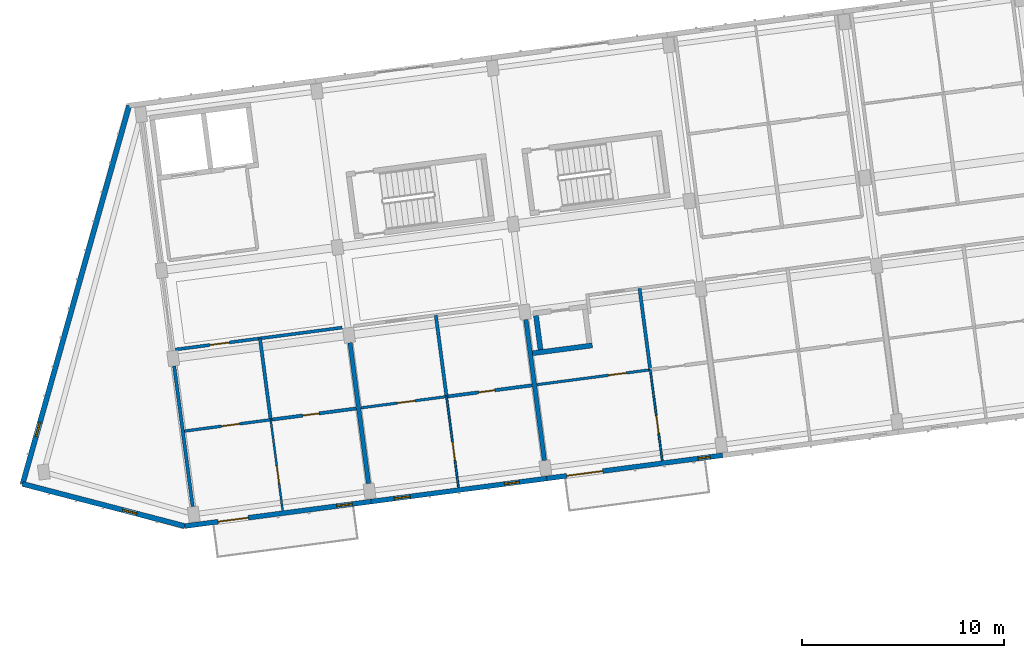
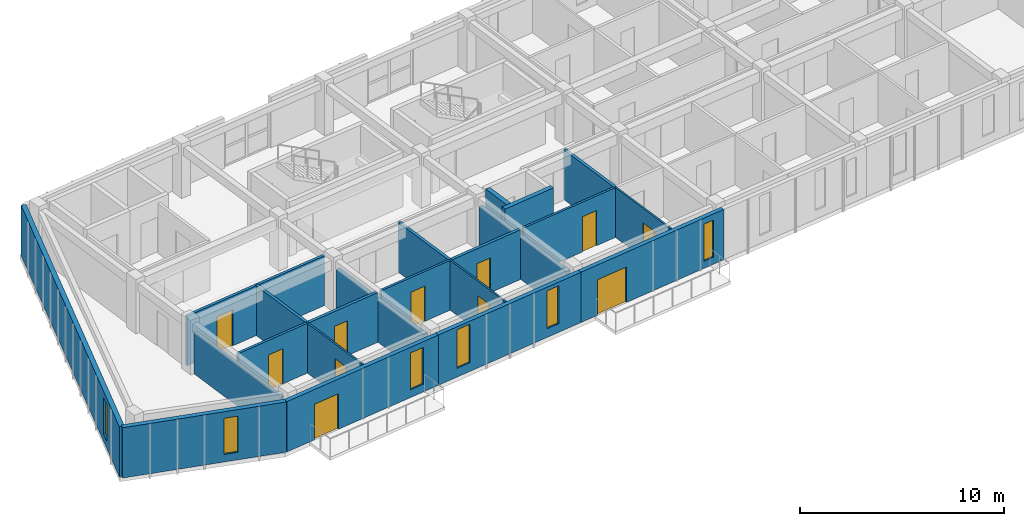
# One storey, part 21 of 66: 22 walls, 11 doors, 6 windows, 17 openings.
"""IFC4 building model written with IfcOpenShell, lengths in metres."""

from ifc_helpers import new_model, si_unit, direction, frame, frame_2d, origin, place, context, subcontext, project, spatial, rectangle, extrude, material, layer, layer_set, type_object, element, fill, save


model = new_model("IFC4")

# Units and contexts
model_context = context("Model", 3, precision=1e-05, world=origin(), true_north=direction((0.0, 1.0)))
body_context = subcontext(model_context, "Body", "Model", "MODEL_VIEW")
ifc_project = project(units=[si_unit("LENGTHUNIT", "METRE"), si_unit("AREAUNIT", "SQUARE_METRE"), si_unit("VOLUMEUNIT", "CUBIC_METRE"), si_unit("PLANEANGLEUNIT", "RADIAN"), si_unit("MASSUNIT", "GRAM", prefix="KILO")], contexts=[model_context])

# Site, building, storey
site_placement = place(None, origin())
site = spatial("IfcSite", under=ifc_project, at=site_placement, CompositionType="ELEMENT")
building_placement = place(site_placement, origin())
building = spatial("IfcBuilding", under=site, at=building_placement, Name="Kestramere Prow Commons", CompositionType="ELEMENT")
storey_placement = place(building_placement, frame((0.0, 0.0, 14.89990234375)))
storey = spatial("IfcBuildingStorey", under=building, at=storey_placement, Name="L04", CompositionType="ELEMENT", Elevation=14.89990234375)

# Wall, opening, window
ifc_material_1 = material(Name="Weathered Zinc-Titanium Standing-Seam Cladding")
ifc_layer_1 = layer(ifc_material_1, 0.260009765625)
ifc_layer_set_1 = layer_set([ifc_layer_1], Name="Weathered Zinc-Titanium Standing-Seam Cladding")
wall_type_1 = type_object("IfcWallType", Name="EW-PROW-260", PredefinedType="SOLIDWALL", material=ifc_layer_set_1)
wall_1_placement = place(storey_placement, frame((10.748046875, 71.410888671875, 0.0), z_axis=(0.0, 0.0, 1.0), x_axis=(-0.967694955113, 0.252123925577, 0.0)))
wall_1 = element("IfcWall", 1, at=wall_1_placement, inside=storey, type_object=wall_type_1, Name="Block A L04 PRW-S Facet Wall", PredefinedType="SOLIDWALL", context=body_context, shape_type="SweptSolid", body=[
    extrude(rectangle(XDim=8.305419921875, YDim=0.260009765625, at=frame_2d((4.15283203125, 0.0))), origin(), (0.0, 0.0, 1.0), 3.0),
])
opening_1_placement = place(wall_1_placement, frame((2.449951171875, 0.0, 0.449951171875)))
opening_1 = element("IfcOpeningElement", 2, at=opening_1_placement, cuts=wall_1, Name="Opening WN-08", PredefinedType="OPENING", context=body_context, shape_type="SweptSolid", body=[
    extrude(rectangle(XDim=0.719970703125, YDim=2.159912109375, at=frame_2d((0.35986328125, 1.080078125))), frame((0.0, 0.14501953125, 0.0), z_axis=(0.0, -1.0, 0.0), x_axis=(1.0, 0.0, 0.0)), (0.0, 0.0, 1.0), 0.2900390625),
])
ifc_material_2 = material(Name="Low-E Laminated Double Glazing", Category="glass")
window_type_1 = type_object("IfcWindowType", Name="WN-NAR-720A", PartitioningType="SINGLE_PANEL", PredefinedType="WINDOW", material=ifc_material_2)
window_1_placement = place(opening_1_placement, origin())
window_1 = element("IfcWindow", 3, at=window_1_placement, inside=storey, type_object=window_type_1, Name="WN-A-L04-PRW-S-0", OverallHeight=2.159912109375, OverallWidth=0.719970703125, PartitioningType="SINGLE_PANEL", PredefinedType="WINDOW", context=body_context, shape_type="SweptSolid", body=[
    extrude(rectangle(XDim=0.719970703125, YDim=2.159912109375, at=frame_2d((0.35986328125, 1.080078125))), frame((0.0, 0.030029296875, 0.0), z_axis=(0.0, -1.0, 0.0), x_axis=(1.0, 0.0, 0.0)), (0.0, 0.0, 1.0), 0.06005859375),
])
fill(opening_1, window_1)

wall_2_placement = place(storey_placement, frame((2.7109375, 73.5048828125, 0.0), z_axis=(0.0, 0.0, 1.0), x_axis=(0.271165263368, 0.962532804606, 0.0)))
wall_2 = element("IfcWall", 4, at=wall_2_placement, inside=storey, type_object=wall_type_1, Name="Block A L04 PRW-N Facet Wall", PredefinedType="SOLIDWALL", context=body_context, shape_type="SweptSolid", body=[
    extrude(rectangle(XDim=19.5068359375, YDim=0.260009765625, at=frame_2d((9.75341796875, 0.0))), origin(), (0.0, 0.0, 1.0), 3.0),
])
opening_2_placement = place(wall_2_placement, frame((2.449951171875, 0.0, 0.449951171875)))
opening_2 = element("IfcOpeningElement", 5, at=opening_2_placement, cuts=wall_2, Name="Opening WN-08", PredefinedType="OPENING", context=body_context, shape_type="SweptSolid", body=[
    extrude(rectangle(XDim=0.719970703125, YDim=2.159912109375, at=frame_2d((0.35986328125, 1.080078125))), frame((0.0, 0.14501953125, 0.0), z_axis=(0.0, -1.0, 0.0), x_axis=(1.0, 0.0, 0.0)), (0.0, 0.0, 1.0), 0.2900390625),
])
window_2_placement = place(opening_2_placement, origin())
window_2 = element("IfcWindow", 6, at=window_2_placement, inside=storey, type_object=window_type_1, Name="WN-A-L04-PRW-N-0", OverallHeight=2.159912109375, OverallWidth=0.719970703125, PartitioningType="SINGLE_PANEL", PredefinedType="WINDOW", context=body_context, shape_type="SweptSolid", body=[
    extrude(rectangle(XDim=0.719970703125, YDim=2.159912109375, at=frame_2d((0.35986328125, 1.080078125))), frame((0.0, 0.030029296875, 0.0), z_axis=(0.0, -1.0, 0.0), x_axis=(1.0, 0.0, 0.0)), (0.0, 0.0, 1.0), 0.06005859375),
])
fill(opening_2, window_2)

# Wall, openings, door, window
ifc_material_3 = material(Name="Fluoropolymer Standing-Seam Zinc-Aluminium Cladding", Category="aluminium")
ifc_layer_2 = layer(ifc_material_3, 0.239990234375)
ifc_layer_set_2 = layer_set([ifc_layer_2], Name="Fluoropolymer Standing-Seam Zinc-Aluminium Cladding")
wall_type_2 = type_object("IfcWallType", Name="EW-SEAM-240", PredefinedType="SOLIDWALL", material=ifc_layer_set_2)
wall_3_placement = place(storey_placement, frame((19.9931640625, 72.628173828125, 0.0), z_axis=(0.0, 0.0, 1.0), x_axis=(-0.991442885224, -0.130541201693, 0.0)))
wall_3 = element("IfcWall", 7, at=wall_3_placement, inside=storey, type_object=wall_type_2, Name="Block A L04 South Standing-Seam Wall 1", PredefinedType="SOLIDWALL", context=body_context, shape_type="SweptSolid", body=[
    extrude(rectangle(XDim=9.324951171875, YDim=0.239990234375, at=frame_2d((4.66259765625, 0.0))), origin(), (0.0, 0.0, 1.0), 3.0),
])
opening_3_placement = place(wall_3_placement, frame((6.14697265625, 0.0, 0.0)))
opening_3 = element("IfcOpeningElement", 8, at=opening_3_placement, cuts=wall_3, Name="Opening GD-BAL-01", PredefinedType="OPENING", context=body_context, shape_type="SweptSolid", body=[
    extrude(rectangle(XDim=1.5, YDim=2.1201171875, at=frame_2d((0.75, 1.06005859375))), frame((0.0, 0.135009765625, 0.0), z_axis=(0.0, -1.0, 0.0), x_axis=(1.0, 0.0, 0.0)), (0.0, 0.0, 1.0), 0.27001953125),
])
opening_4_placement = place(wall_3_placement, frame((0.929931640625, 0.0, 0.4599609375)))
opening_4 = element("IfcOpeningElement", 9, at=opening_4_placement, cuts=wall_3, Name="Opening WN-11", PredefinedType="OPENING", context=body_context, shape_type="SweptSolid", body=[
    extrude(rectangle(XDim=0.780029296875, YDim=2.199951171875, at=frame_2d((0.39013671875, 1.10009765625))), frame((0.0, 0.135009765625, 0.0), z_axis=(0.0, -1.0, 0.0), x_axis=(1.0, 0.0, 0.0)), (0.0, 0.0, 1.0), 0.27001953125),
])
ifc_material_4 = material(Name="Thermally-Broken Anodised Aluminium Glazed", Category="aluminium")
door_type_1 = type_object("IfcDoorType", Name="GD-BAL-1500", OperationType="SLIDING_TO_RIGHT", PredefinedType="DOOR", material=ifc_material_4)
door_1_placement = place(opening_3_placement, origin())
door_1 = element("IfcDoor", 10, at=door_1_placement, inside=storey, type_object=door_type_1, Name="Block A L04 Balcony Door 1", OperationType="SLIDING_TO_RIGHT", OverallHeight=2.1201171875, OverallWidth=1.5, PredefinedType="DOOR", context=body_context, shape_type="SweptSolid", body=[
    extrude(rectangle(XDim=1.5, YDim=2.1201171875, at=frame_2d((0.75, 1.06005859375))), frame((0.0, 0.02490234375, 0.0), z_axis=(0.0, -1.0, 0.0), x_axis=(1.0, 0.0, 0.0)), (0.0, 0.0, 1.0), 0.050048828125),
])
fill(opening_3, door_1)
window_type_2 = type_object("IfcWindowType", Name="WN-NAR-780A", PartitioningType="SINGLE_PANEL", PredefinedType="WINDOW", material=ifc_material_2)
window_3_placement = place(opening_4_placement, origin())
window_3 = element("IfcWindow", 11, at=window_3_placement, inside=storey, type_object=window_type_2, Name="WN-A-L04-SR-0", OverallHeight=2.199951171875, OverallWidth=0.780029296875, PartitioningType="SINGLE_PANEL", PredefinedType="WINDOW", context=body_context, shape_type="SweptSolid", body=[
    extrude(rectangle(XDim=0.780029296875, YDim=2.199951171875, at=frame_2d((0.39013671875, 1.10009765625))), frame((0.0, 0.030029296875, 0.0), z_axis=(0.0, -1.0, 0.0), x_axis=(1.0, 0.0, 0.0)), (0.0, 0.0, 1.0), 0.06005859375),
])
fill(opening_4, window_3)

# Wall, openings, windows
wall_4_placement = place(storey_placement, frame((28.718017578125, 73.77685546875, 0.0), z_axis=(0.0, 0.0, 1.0), x_axis=(-0.991444377792, -0.130529865336, 0.0)))
wall_4 = element("IfcWall", 12, at=wall_4_placement, inside=storey, type_object=wall_type_2, Name="Block A L04 South Standing-Seam Wall 2", PredefinedType="SOLIDWALL", context=body_context, shape_type="SweptSolid", body=[
    extrude(rectangle(XDim=8.800048828125, YDim=0.239990234375, at=frame_2d((4.39990234375, 0.0))), origin(), (0.0, 0.0, 1.0), 3.0),
])
opening_5_placement = place(wall_4_placement, frame((1.375732421875, 0.0, 0.52001953125)))
opening_5 = element("IfcOpeningElement", 13, at=opening_5_placement, cuts=wall_4, Name="Opening WN-09", PredefinedType="OPENING", context=body_context, shape_type="SweptSolid", body=[
    extrude(rectangle(XDim=0.739990234375, YDim=2.260009765625, at=frame_2d((0.3701171875, 1.1298828125))), frame((0.0, 0.135009765625, 0.0), z_axis=(0.0, -1.0, 0.0), x_axis=(1.0, 0.0, 0.0)), (0.0, 0.0, 1.0), 0.27001953125),
])
opening_6_placement = place(wall_4_placement, frame((6.840087890625, 0.0, 0.52001953125)))
opening_6 = element("IfcOpeningElement", 14, at=opening_6_placement, cuts=wall_4, Name="Opening WN-12", PredefinedType="OPENING", context=body_context, shape_type="SweptSolid", body=[
    extrude(rectangle(XDim=0.800048828125, YDim=2.300048828125, at=frame_2d((0.39990234375, 1.14990234375))), frame((0.0, 0.135009765625, 0.0), z_axis=(0.0, -1.0, 0.0), x_axis=(1.0, 0.0, 0.0)), (0.0, 0.0, 1.0), 0.27001953125),
])
window_type_3 = type_object("IfcWindowType", Name="WN-NAR-740A", PartitioningType="SINGLE_PANEL", PredefinedType="WINDOW", material=ifc_material_2)
window_4_placement = place(opening_5_placement, origin())
window_4 = element("IfcWindow", 15, at=window_4_placement, inside=storey, type_object=window_type_3, Name="WN-A-L04-S-1-00", OverallHeight=2.260009765625, OverallWidth=0.739990234375, PartitioningType="SINGLE_PANEL", PredefinedType="WINDOW", context=body_context, shape_type="SweptSolid", body=[
    extrude(rectangle(XDim=0.739990234375, YDim=2.260009765625, at=frame_2d((0.3701171875, 1.1298828125))), frame((0.0, 0.030029296875, 0.0), z_axis=(0.0, -1.0, 0.0), x_axis=(1.0, 0.0, 0.0)), (0.0, 0.0, 1.0), 0.06005859375),
])
fill(opening_5, window_4)
window_type_4 = type_object("IfcWindowType", Name="WN-NAR-800A", PartitioningType="SINGLE_PANEL", PredefinedType="WINDOW", material=ifc_material_2)
window_5_placement = place(opening_6_placement, origin())
window_5 = element("IfcWindow", 16, at=window_5_placement, inside=storey, type_object=window_type_4, Name="WN-A-L04-S-1-10", OverallHeight=2.300048828125, OverallWidth=0.800048828125, PartitioningType="SINGLE_PANEL", PredefinedType="WINDOW", context=body_context, shape_type="SweptSolid", body=[
    extrude(rectangle(XDim=0.800048828125, YDim=2.300048828125, at=frame_2d((0.39990234375, 1.14990234375))), frame((0.0, 0.030029296875, 0.0), z_axis=(0.0, -1.0, 0.0), x_axis=(1.0, 0.0, 0.0)), (0.0, 0.0, 1.0), 0.06005859375),
])
fill(opening_6, window_5)

# Wall, openings, door, window
wall_5_placement = place(storey_placement, frame((37.442626953125, 74.92529296875, 0.0), z_axis=(0.0, 0.0, 1.0), x_axis=(-0.991447495205, -0.130506184728, 0.0)))
wall_5 = element("IfcWall", 17, at=wall_5_placement, inside=storey, type_object=wall_type_2, Name="Block A L04 South Standing-Seam Wall 3", PredefinedType="SOLIDWALL", context=body_context, shape_type="SweptSolid", body=[
    extrude(rectangle(XDim=8.7998046875, YDim=0.239990234375, at=frame_2d((4.39990234375, 0.0))), origin(), (0.0, 0.0, 1.0), 3.0),
])
opening_7_placement = place(wall_5_placement, frame((5.9970703125, 0.0, 0.0)))
opening_7 = element("IfcOpeningElement", 18, at=opening_7_placement, cuts=wall_5, Name="Opening GD-BAL-02", PredefinedType="OPENING", context=body_context, shape_type="SweptSolid", body=[
    extrude(rectangle(XDim=1.800048828125, YDim=2.1201171875, at=frame_2d((0.89990234375, 1.06005859375))), frame((0.0, 0.135009765625, 0.0), z_axis=(0.0, -1.0, 0.0), x_axis=(1.0, 0.0, 0.0)), (0.0, 0.0, 1.0), 0.27001953125),
])
opening_8_placement = place(wall_5_placement, frame((0.6298828125, 0.0, 0.419921875)))
opening_8 = element("IfcOpeningElement", 19, at=opening_8_placement, cuts=wall_5, Name="Opening WN-02", PredefinedType="OPENING", context=body_context, shape_type="SweptSolid", body=[
    extrude(rectangle(XDim=0.60009765625, YDim=2.219970703125, at=frame_2d((0.300048828125, 1.10986328125))), frame((0.0, 0.135009765625, 0.0), z_axis=(0.0, -1.0, 0.0), x_axis=(1.0, 0.0, 0.0)), (0.0, 0.0, 1.0), 0.27001953125),
])
door_type_2 = type_object("IfcDoorType", Name="GD-BAL-1800", OperationType="SLIDING_TO_LEFT", PredefinedType="DOOR", material=ifc_material_4)
door_2_placement = place(opening_7_placement, origin())
door_2 = element("IfcDoor", 20, at=door_2_placement, inside=storey, type_object=door_type_2, Name="Block A L04 Balcony Door 3", OperationType="SLIDING_TO_LEFT", OverallHeight=2.1201171875, OverallWidth=1.800048828125, PredefinedType="DOOR", context=body_context, shape_type="SweptSolid", body=[
    extrude(rectangle(XDim=1.800048828125, YDim=2.1201171875, at=frame_2d((0.89990234375, 1.06005859375))), frame((0.0, 0.02490234375, 0.0), z_axis=(0.0, -1.0, 0.0), x_axis=(1.0, 0.0, 0.0)), (0.0, 0.0, 1.0), 0.050048828125),
])
fill(opening_7, door_2)
window_type_5 = type_object("IfcWindowType", Name="WN-NAR-600A", PartitioningType="SINGLE_PANEL", PredefinedType="WINDOW", material=ifc_material_2)
window_6_placement = place(opening_8_placement, origin())
window_6 = element("IfcWindow", 21, at=window_6_placement, inside=storey, type_object=window_type_5, Name="WN-A-L04-SR-2", OverallHeight=2.219970703125, OverallWidth=0.60009765625, PartitioningType="SINGLE_PANEL", PredefinedType="WINDOW", context=body_context, shape_type="SweptSolid", body=[
    extrude(rectangle(XDim=0.60009765625, YDim=2.219970703125, at=frame_2d((0.300048828125, 1.10986328125))), frame((0.0, 0.030029296875, 0.0), z_axis=(0.0, -1.0, 0.0), x_axis=(1.0, 0.0, 0.0)), (0.0, 0.0, 1.0), 0.06005859375),
])
fill(opening_8, window_6)

# Wall, opening, door
ifc_material_5 = material(Name="Fire-Rated Calcium Silicate Wall")
ifc_layer_3 = layer(ifc_material_5, 0.155029296875)
ifc_layer_set_3 = layer_set([ifc_layer_3], Name="Fire-Rated Calcium Silicate Wall")
wall_type_3 = type_object("IfcWallType", Name="W-FIRE-150", PredefinedType="PARTITIONING", material=ifc_layer_set_3)
wall_6_placement = place(storey_placement, frame((10.196533203125, 80.158935546875, 0.0), z_axis=(0.0, 0.0, 1.0), x_axis=(0.991448685923, 0.130497138599, 0.0)))
wall_6 = element("IfcWall", 22, at=wall_6_placement, inside=storey, type_object=wall_type_3, Name="Interior Partition PW-A-L04-CS-0", PredefinedType="PARTITIONING", context=body_context, shape_type="SweptSolid", body=[
    extrude(rectangle(XDim=8.445068359375, YDim=0.155029296875, at=frame_2d((4.22265625, 0.0))), origin(), (0.0, 0.0, 1.0), 2.97021484375),
])
opening_9_placement = place(wall_6_placement, frame((1.820068359375, 0.0, 0.0)))
opening_9 = element("IfcOpeningElement", 23, at=opening_9_placement, cuts=wall_6, Name="Opening ID-04", PredefinedType="OPENING", context=body_context, shape_type="SweptSolid", body=[
    extrude(rectangle(XDim=0.97998046875, YDim=2.14990234375, at=frame_2d((0.489990234375, 1.074951171875))), frame((0.0, 0.092529296875, 0.0), z_axis=(0.0, -1.0, 0.0), x_axis=(1.0, 0.0, 0.0)), (0.0, 0.0, 1.0), 0.18505859375),
])
ifc_material_6 = material(Name="Hardwood Fire-Rated Flat Entrance Door", Category="wood")
door_type_3 = type_object("IfcDoorType", Name="FD-ENT-01", OperationType="NOTDEFINED", PredefinedType="DOOR", material=ifc_material_6)
door_3_placement = place(opening_9_placement, origin())
door_3 = element("IfcDoor", 24, at=door_3_placement, inside=storey, type_object=door_type_3, Name="Interior Door DR-A-L04-ENT-S0", OperationType="SINGLE_SWING_LEFT", OverallHeight=2.14990234375, OverallWidth=0.97998046875, PredefinedType="DOOR", context=body_context, shape_type="SweptSolid", body=[
    extrude(rectangle(XDim=0.97998046875, YDim=2.14990234375, at=frame_2d((0.489990234375, 1.074951171875))), frame((0.0, 0.02490234375, 0.0), z_axis=(0.0, -1.0, 0.0), x_axis=(1.0, 0.0, 0.0)), (0.0, 0.0, 1.0), 0.050048828125),
])
fill(opening_9, door_3)

# Walls
ifc_material_7 = material(Name="Concrete C40/50", Category="concrete")
ifc_layer_4 = layer(ifc_material_7, 0.25)
ifc_layer_set_4 = layer_set([ifc_layer_4], Name="Concrete C40/50")
wall_type_4 = type_object("IfcWallType", Name="W-HS-250", PredefinedType="SHEAR", material=ifc_layer_set_4)
wall_7_placement = place(storey_placement, frame((28.01123046875, 79.987548828125, 0.0), z_axis=(0.0, 0.0, 1.0), x_axis=(0.991439837467, 0.130564346904, 0.0)))
element("IfcWall", 25, at=wall_7_placement, inside=storey, type_object=wall_type_4, Name="Block A L04 Household Shelter South Wall", PredefinedType="SHEAR", context=body_context, shape_type="SweptSolid", body=[
    extrude(rectangle(XDim=2.989990234375, YDim=0.25, at=frame_2d((1.4951171875, 0.0))), origin(), (0.0, 0.0, 1.0), 3.25),
])
wall_8_placement = place(storey_placement, frame((28.40625, 80.165771484375, 0.0), z_axis=(0.0, 0.0, 1.0), x_axis=(-0.130413643681, 0.991459672171, 0.0)))
element("IfcWall", 26, at=wall_8_placement, inside=storey, type_object=wall_type_4, Name="Block A L04 Household Shelter W Wall", PredefinedType="SHEAR", context=body_context, shape_type="SweptSolid", body=[
    extrude(rectangle(XDim=1.69970703125, YDim=0.25, at=frame_2d((0.849853515625, 0.0))), origin(), (0.0, 0.0, 1.0), 3.25),
])

# Wall, opening, door
ifc_material_8 = material(Name="Gypsum Acoustic Drywall")
ifc_layer_5 = layer(ifc_material_8, 0.10009765625)
ifc_layer_set_5 = layer_set([ifc_layer_5], Name="Gypsum Acoustic Drywall")
wall_type_5 = type_object("IfcWallType", Name="W-PART-100", PredefinedType="PARTITIONING", material=ifc_layer_set_5)
wall_9_placement = place(storey_placement, frame((15.61328125, 72.187744140625, 0.0), z_axis=(0.0, 0.0, 1.0), x_axis=(-0.130518503748, 0.99144587355, 0.0)))
wall_9 = element("IfcWall", 27, at=wall_9_placement, inside=storey, type_object=wall_type_5, Name="Interior Partition PW-A-L04-LB-S0", PredefinedType="PARTITIONING", context=body_context, shape_type="SweptSolid", body=[
    extrude(rectangle(XDim=4.539794921875, YDim=0.10009765625, at=frame_2d((2.27001953125, 0.0))), origin(), (0.0, 0.0, 1.0), 2.97021484375),
])
opening_10_placement = place(wall_9_placement, frame((1.35009765625, 0.0, 0.0)))
opening_10 = element("IfcOpeningElement", 28, at=opening_10_placement, cuts=wall_9, Name="Opening ID-10", PredefinedType="OPENING", context=body_context, shape_type="SweptSolid", body=[
    extrude(rectangle(XDim=0.8798828125, YDim=2.10009765625, at=frame_2d((0.43994140625, 1.050048828125))), frame((0.0, 0.06494140625, 0.0), z_axis=(0.0, -1.0, 0.0), x_axis=(1.0, 0.0, 0.0)), (0.0, 0.0, 1.0), 0.130126953125),
])
ifc_material_9 = material(Name="Engineered Timber Bedroom Door", Category="wood")
door_type_4 = type_object("IfcDoorType", Name="D-RM-03", OperationType="NOTDEFINED", PredefinedType="DOOR", material=ifc_material_9)
door_4_placement = place(opening_10_placement, origin())
door_4 = element("IfcDoor", 29, at=door_4_placement, inside=storey, type_object=door_type_4, Name="Interior Door DR-A-L04-BED-S0", OperationType="SINGLE_SWING_LEFT", OverallHeight=2.10009765625, OverallWidth=0.8798828125, PredefinedType="DOOR", context=body_context, shape_type="SweptSolid", body=[
    extrude(rectangle(XDim=0.8798828125, YDim=2.10009765625, at=frame_2d((0.43994140625, 1.050048828125))), frame((0.0, 0.02490234375, 0.0), z_axis=(0.0, -1.0, 0.0), x_axis=(1.0, 0.0, 0.0)), (0.0, 0.0, 1.0), 0.050048828125),
])
fill(opening_10, door_4)

ifc_material_10 = material(Name="Lightweight Blockwork and Plaster", Category="masonry")
ifc_layer_6 = layer(ifc_material_10, 0.1298828125)
ifc_layer_set_6 = layer_set([ifc_layer_6], Name="Lightweight Blockwork and Plaster")
wall_type_6 = type_object("IfcWallType", Name="W-PART-130", PredefinedType="PARTITIONING", material=ifc_layer_set_6)
wall_10_placement = place(storey_placement, frame((19.4970703125, 77.278076171875, 0.0), z_axis=(0.0, 0.0, 1.0), x_axis=(0.991444014242, 0.130532626667, 0.0)))
wall_10 = element("IfcWall", 30, at=wall_10_placement, inside=storey, type_object=wall_type_6, Name="Interior Partition PW-A-L04-MIDS1-1", PredefinedType="PARTITIONING", context=body_context, shape_type="SweptSolid", body=[
    extrude(rectangle(XDim=4.284912109375, YDim=0.1298828125, at=frame_2d((2.142578125, 0.0))), origin(), (0.0, 0.0, 1.0), 2.97021484375),
])
opening_11_placement = place(wall_10_placement, frame((1.824951171875, 0.0, 0.0)))
opening_11 = element("IfcOpeningElement", 31, at=opening_11_placement, cuts=wall_10, Name="Opening ID-10", PredefinedType="OPENING", context=body_context, shape_type="SweptSolid", body=[
    extrude(rectangle(XDim=0.8798828125, YDim=2.10009765625, at=frame_2d((0.43994140625, 1.050048828125))), frame((0.0, 0.079833984375, 0.0), z_axis=(0.0, -1.0, 0.0), x_axis=(1.0, 0.0, 0.0)), (0.0, 0.0, 1.0), 0.159912109375),
])
door_5_placement = place(opening_11_placement, origin())
door_5 = element("IfcDoor", 32, at=door_5_placement, inside=storey, type_object=door_type_4, Name="Interior Door DR-A-L04-KL-S1", OperationType="SINGLE_SWING_RIGHT", OverallHeight=2.10009765625, OverallWidth=0.8798828125, PredefinedType="DOOR", context=body_context, shape_type="SweptSolid", body=[
    extrude(rectangle(XDim=0.8798828125, YDim=2.10009765625, at=frame_2d((0.43994140625, 1.050048828125))), frame((0.0, 0.02490234375, 0.0), z_axis=(0.0, -1.0, 0.0), x_axis=(1.0, 0.0, 0.0)), (0.0, 0.0, 1.0), 0.050048828125),
])
fill(opening_11, door_5)

wall_11_placement = place(storey_placement, frame((28.2216796875, 78.4267578125, 0.0), z_axis=(0.0, 0.0, 1.0), x_axis=(0.991443905556, 0.130533452169, 0.0)))
wall_11 = element("IfcWall", 33, at=wall_11_placement, inside=storey, type_object=wall_type_6, Name="Interior Partition PW-A-L04-MIDS1-2", PredefinedType="PARTITIONING", context=body_context, shape_type="SweptSolid", body=[
    extrude(rectangle(XDim=5.68017578125, YDim=0.1298828125, at=frame_2d((2.840087890625, 0.0))), origin(), (0.0, 0.0, 1.0), 2.97021484375),
])
opening_12_placement = place(wall_11_placement, frame((3.594970703125, 0.0, 0.0)))
opening_12 = element("IfcOpeningElement", 34, at=opening_12_placement, cuts=wall_11, Name="Opening ID-10", PredefinedType="OPENING", context=body_context, shape_type="SweptSolid", body=[
    extrude(rectangle(XDim=0.8798828125, YDim=2.10009765625, at=frame_2d((0.43994140625, 1.050048828125))), frame((0.0, 0.079833984375, 0.0), z_axis=(0.0, -1.0, 0.0), x_axis=(1.0, 0.0, 0.0)), (0.0, 0.0, 1.0), 0.159912109375),
])
door_6_placement = place(opening_12_placement, origin())
door_6 = element("IfcDoor", 35, at=door_6_placement, inside=storey, type_object=door_type_4, Name="Interior Door DR-A-L04-KL-S2", OperationType="SINGLE_SWING_RIGHT", OverallHeight=2.10009765625, OverallWidth=0.8798828125, PredefinedType="DOOR", context=body_context, shape_type="SweptSolid", body=[
    extrude(rectangle(XDim=0.8798828125, YDim=2.10009765625, at=frame_2d((0.43994140625, 1.050048828125))), frame((0.0, 0.02490234375, 0.0), z_axis=(0.0, -1.0, 0.0), x_axis=(1.0, 0.0, 0.0)), (0.0, 0.0, 1.0), 0.050048828125),
])
fill(opening_12, door_6)

ifc_material_11 = material(Name="Masonry Compartment Wall", Category="masonry")
ifc_layer_7 = layer(ifc_material_11, 0.139892578125)
ifc_layer_set_7 = layer_set([ifc_layer_7], Name="Masonry Compartment Wall")
wall_type_7 = type_object("IfcWallType", Name="W-PART-140", PredefinedType="PARTITIONING", material=ifc_layer_set_7)
wall_12_placement = place(storey_placement, frame((10.74755859375, 76.126220703125, 0.0), z_axis=(0.0, 0.0, 1.0), x_axis=(0.991447160489, 0.130508727519, 0.0)))
wall_12 = element("IfcWall", 36, at=wall_12_placement, inside=storey, type_object=wall_type_7, Name="Interior Partition PW-A-L04-MIDS1-0", PredefinedType="PARTITIONING", context=body_context, shape_type="SweptSolid", body=[
    extrude(rectangle(XDim=4.31005859375, YDim=0.139892578125, at=frame_2d((2.155029296875, 0.0))), origin(), (0.0, 0.0, 1.0), 2.97021484375),
])
opening_13_placement = place(wall_12_placement, frame((1.85009765625, 0.0, 0.0)))
opening_13 = element("IfcOpeningElement", 37, at=opening_13_placement, cuts=wall_12, Name="Opening ID-08", PredefinedType="OPENING", context=body_context, shape_type="SweptSolid", body=[
    extrude(rectangle(XDim=0.89990234375, YDim=2.10009765625, at=frame_2d((0.449951171875, 1.050048828125))), frame((0.0, 0.0849609375, 0.0), z_axis=(0.0, -1.0, 0.0), x_axis=(1.0, 0.0, 0.0)), (0.0, 0.0, 1.0), 0.169921875),
])
ifc_material_12 = material(Name="Engineered Timber Flush Door", Category="wood")
door_type_5 = type_object("IfcDoorType", Name="D-RM-01", OperationType="NOTDEFINED", PredefinedType="DOOR", material=ifc_material_12)
door_7_placement = place(opening_13_placement, origin())
door_7 = element("IfcDoor", 38, at=door_7_placement, inside=storey, type_object=door_type_5, Name="Interior Door DR-A-L04-KL-S0", OperationType="SINGLE_SWING_RIGHT", OverallHeight=2.10009765625, OverallWidth=0.89990234375, PredefinedType="DOOR", context=body_context, shape_type="SweptSolid", body=[
    extrude(rectangle(XDim=0.89990234375, YDim=2.10009765625, at=frame_2d((0.449951171875, 1.050048828125))), frame((0.0, 0.02490234375, 0.0), z_axis=(0.0, -1.0, 0.0), x_axis=(1.0, 0.0, 0.0)), (0.0, 0.0, 1.0), 0.050048828125),
])
fill(opening_13, door_7)

ifc_layer_8 = layer(ifc_material_8, 0.094970703125)
ifc_layer_set_8 = layer_set([ifc_layer_8], Name="Gypsum Acoustic Drywall")
wall_type_8 = type_object("IfcWallType", Name="W-PART-95", PredefinedType="PARTITIONING", material=ifc_layer_set_8)
wall_13_placement = place(storey_placement, frame((24.337890625, 73.336181640625, 0.0), z_axis=(0.0, 0.0, 1.0), x_axis=(-0.130511545171, 0.991446789584, 0.0)))
wall_13 = element("IfcWall", 39, at=wall_13_placement, inside=storey, type_object=wall_type_8, Name="Interior Partition PW-A-L04-LB-S1", PredefinedType="PARTITIONING", context=body_context, shape_type="SweptSolid", body=[
    extrude(rectangle(XDim=4.5400390625, YDim=0.094970703125, at=frame_2d((2.27001953125, 0.0))), origin(), (0.0, 0.0, 1.0), 2.97021484375),
])
opening_14_placement = place(wall_13_placement, frame((1.35009765625, 0.0, 0.0)))
opening_14 = element("IfcOpeningElement", 40, at=opening_14_placement, cuts=wall_13, Name="Opening ID-08", PredefinedType="OPENING", context=body_context, shape_type="SweptSolid", body=[
    extrude(rectangle(XDim=0.89990234375, YDim=2.10009765625, at=frame_2d((0.449951171875, 1.050048828125))), frame((0.0, 0.0625, 0.0), z_axis=(0.0, -1.0, 0.0), x_axis=(1.0, 0.0, 0.0)), (0.0, 0.0, 1.0), 0.125),
])
door_8_placement = place(opening_14_placement, origin())
door_8 = element("IfcDoor", 41, at=door_8_placement, inside=storey, type_object=door_type_5, Name="Interior Door DR-A-L04-BED-S1", OperationType="SINGLE_SWING_RIGHT", OverallHeight=2.10009765625, OverallWidth=0.89990234375, PredefinedType="DOOR", context=body_context, shape_type="SweptSolid", body=[
    extrude(rectangle(XDim=0.89990234375, YDim=2.10009765625, at=frame_2d((0.449951171875, 1.050048828125))), frame((0.0, 0.02490234375, 0.0), z_axis=(0.0, -1.0, 0.0), x_axis=(1.0, 0.0, 0.0)), (0.0, 0.0, 1.0), 0.050048828125),
])
fill(opening_14, door_8)

wall_14_placement = place(storey_placement, frame((34.44580078125, 74.6669921875, 0.0), z_axis=(0.0, 0.0, 1.0), x_axis=(-0.130511545171, 0.991446789584, 0.0)))
wall_14 = element("IfcWall", 42, at=wall_14_placement, inside=storey, type_object=wall_type_8, Name="Interior Partition PW-A-L04-LB-S2", PredefinedType="PARTITIONING", context=body_context, shape_type="SweptSolid", body=[
    extrude(rectangle(XDim=4.5400390625, YDim=0.094970703125, at=frame_2d((2.27001953125, 0.0))), origin(), (0.0, 0.0, 1.0), 2.97021484375),
])
opening_15_placement = place(wall_14_placement, frame((1.35009765625, 0.0, 0.0)))
opening_15 = element("IfcOpeningElement", 43, at=opening_15_placement, cuts=wall_14, Name="Opening ID-08", PredefinedType="OPENING", context=body_context, shape_type="SweptSolid", body=[
    extrude(rectangle(XDim=0.89990234375, YDim=2.10009765625, at=frame_2d((0.449951171875, 1.050048828125))), frame((0.0, 0.0625, 0.0), z_axis=(0.0, -1.0, 0.0), x_axis=(1.0, 0.0, 0.0)), (0.0, 0.0, 1.0), 0.125),
])
door_9_placement = place(opening_15_placement, origin())
door_9 = element("IfcDoor", 44, at=door_9_placement, inside=storey, type_object=door_type_5, Name="Interior Door DR-A-L04-BED-S2", OperationType="SINGLE_SWING_LEFT", OverallHeight=2.10009765625, OverallWidth=0.89990234375, PredefinedType="DOOR", context=body_context, shape_type="SweptSolid", body=[
    extrude(rectangle(XDim=0.89990234375, YDim=2.10009765625, at=frame_2d((0.449951171875, 1.050048828125))), frame((0.0, 0.02490234375, 0.0), z_axis=(0.0, -1.0, 0.0), x_axis=(1.0, 0.0, 0.0)), (0.0, 0.0, 1.0), 0.050048828125),
])
fill(opening_15, door_9)

# Wall
ifc_material_13 = material(Name="Waterproof Sanitary Masonry Wall", Category="masonry")
ifc_layer_9 = layer(ifc_material_13, 0.1650390625)
ifc_layer_set_9 = layer_set([ifc_layer_9], Name="Waterproof Sanitary Masonry Wall")
wall_type_9 = type_object("IfcWallType", Name="W-PLUMB-150", PredefinedType="PLUMBINGWALL", material=ifc_layer_set_9)
wall_15_placement = place(storey_placement, frame((11.149658203125, 72.381591796875, 0.0), z_axis=(0.0, 0.0, 1.0), x_axis=(-0.130507514421, 0.991447320174, 0.0)))
element("IfcWall", 45, at=wall_15_placement, inside=storey, type_object=wall_type_9, Name="Interior Partition PW-A-L04-PRWW-S", PredefinedType="PLUMBINGWALL", context=body_context, shape_type="SweptSolid", body=[
    extrude(rectangle(XDim=7.030029296875, YDim=0.1650390625, at=frame_2d((3.51513671875, 0.0))), origin(), (0.0, 0.0, 1.0), 2.5),
])

# Wall, opening, door
wall_16_placement = place(storey_placement, frame((15.020751953125, 76.688720703125, 0.0), z_axis=(0.0, 0.0, 1.0), x_axis=(0.991444014242, 0.130532626667, 0.0)))
wall_16 = element("IfcWall", 46, at=wall_16_placement, inside=storey, type_object=wall_type_9, Name="Interior Partition PW-A-L04-MIDS2-0", PredefinedType="PLUMBINGWALL", context=body_context, shape_type="SweptSolid", body=[
    extrude(rectangle(XDim=4.284912109375, YDim=0.1650390625, at=frame_2d((2.142578125, 0.0))), origin(), (0.0, 0.0, 1.0), 2.97021484375),
])
opening_16_placement = place(wall_16_placement, frame((1.60009765625, 0.0, 0.0)))
opening_16 = element("IfcOpeningElement", 47, at=opening_16_placement, cuts=wall_16, Name="Opening ID-11", PredefinedType="OPENING", context=body_context, shape_type="SweptSolid", body=[
    extrude(rectangle(XDim=0.820068359375, YDim=2.080078125, at=frame_2d((0.41015625, 1.0400390625))), frame((0.0, 0.097412109375, 0.0), z_axis=(0.0, -1.0, 0.0), x_axis=(1.0, 0.0, 0.0)), (0.0, 0.0, 1.0), 0.195068359375),
])
ifc_material_14 = material(Name="Moisture-Resistant Timber Bathroom Door", Category="wood")
door_type_6 = type_object("IfcDoorType", Name="D-BT-01", OperationType="NOTDEFINED", PredefinedType="DOOR", material=ifc_material_14)
door_10_placement = place(opening_16_placement, origin())
door_10 = element("IfcDoor", 48, at=door_10_placement, inside=storey, type_object=door_type_6, Name="Interior Door DR-A-L04-BTH-S0", OperationType="SINGLE_SWING_LEFT", OverallHeight=2.080078125, OverallWidth=0.820068359375, PredefinedType="DOOR", context=body_context, shape_type="SweptSolid", body=[
    extrude(rectangle(XDim=0.820068359375, YDim=2.080078125, at=frame_2d((0.41015625, 1.0400390625))), frame((0.0, 0.02490234375, 0.0), z_axis=(0.0, -1.0, 0.0), x_axis=(1.0, 0.0, 0.0)), (0.0, 0.0, 1.0), 0.050048828125),
])
fill(opening_16, door_10)

# Wall
wall_17_placement = place(storey_placement, frame((15.020751953125, 76.688720703125, 0.0), z_axis=(0.0, 0.0, 1.0), x_axis=(-0.13052899417, 0.991444492486, 0.0)))
element("IfcWall", 49, at=wall_17_placement, inside=storey, type_object=wall_type_9, Name="Interior Partition PW-A-L04-KB-S0", PredefinedType="PLUMBINGWALL", context=body_context, shape_type="SweptSolid", body=[
    extrude(rectangle(XDim=4.070068359375, YDim=0.1650390625, at=frame_2d((2.03515625, 0.0))), origin(), (0.0, 0.0, 1.0), 2.97021484375),
])

# Wall, opening, door
wall_18_placement = place(storey_placement, frame((23.745361328125, 77.83740234375, 0.0), z_axis=(0.0, 0.0, 1.0), x_axis=(0.991444014242, 0.130532626667, 0.0)))
wall_18 = element("IfcWall", 50, at=wall_18_placement, inside=storey, type_object=wall_type_9, Name="Interior Partition PW-A-L04-MIDS2-1", PredefinedType="PLUMBINGWALL", context=body_context, shape_type="SweptSolid", body=[
    extrude(rectangle(XDim=4.284912109375, YDim=0.1650390625, at=frame_2d((2.142578125, 0.0))), origin(), (0.0, 0.0, 1.0), 2.97021484375),
])
opening_17_placement = place(wall_18_placement, frame((1.60009765625, 0.0, 0.0)))
opening_17 = element("IfcOpeningElement", 51, at=opening_17_placement, cuts=wall_18, Name="Opening ID-11", PredefinedType="OPENING", context=body_context, shape_type="SweptSolid", body=[
    extrude(rectangle(XDim=0.820068359375, YDim=2.080078125, at=frame_2d((0.41015625, 1.0400390625))), frame((0.0, 0.097412109375, 0.0), z_axis=(0.0, -1.0, 0.0), x_axis=(1.0, 0.0, 0.0)), (0.0, 0.0, 1.0), 0.195068359375),
])
door_11_placement = place(opening_17_placement, origin())
door_11 = element("IfcDoor", 52, at=door_11_placement, inside=storey, type_object=door_type_6, Name="Interior Door DR-A-L04-BTH-S1", OperationType="SINGLE_SWING_LEFT", OverallHeight=2.080078125, OverallWidth=0.820068359375, PredefinedType="DOOR", context=body_context, shape_type="SweptSolid", body=[
    extrude(rectangle(XDim=0.820068359375, YDim=2.080078125, at=frame_2d((0.41015625, 1.0400390625))), frame((0.0, 0.02490234375, 0.0), z_axis=(0.0, -1.0, 0.0), x_axis=(1.0, 0.0, 0.0)), (0.0, 0.0, 1.0), 0.050048828125),
])
fill(opening_17, door_11)

# Walls
for number, where, z_axis, x_axis, name in (
    (53, (23.745361328125, 77.83740234375, 0.0), (0.0, 0.0, 1.0), (-0.13052899417, 0.991444492486, 0.0), "Interior Partition PW-A-L04-KB-S1"),
    (54, (33.853271484375, 79.168212890625, 0.0), (0.0, 0.0, 1.0), (-0.13052899417, 0.991444492486, 0.0), "Interior Partition PW-A-L04-KB-S2"),
):
    element("IfcWall", number, at=place(storey_placement, frame(where, z_axis=z_axis, x_axis=x_axis)), inside=storey, type_object=wall_type_9, Name=name, PredefinedType="PLUMBINGWALL", context=body_context, shape_type="SweptSolid", body=[
        extrude(rectangle(XDim=4.070068359375, YDim=0.1650390625, at=frame_2d((2.03515625, 0.0))), origin(), (0.0, 0.0, 1.0), 2.97021484375),
    ])
ifc_material_15 = material(Name="Precast concrete C40/50", Category="concrete")
ifc_layer_10 = layer(ifc_material_15, 0.219970703125)
ifc_layer_set_10 = layer_set([ifc_layer_10], Name="Precast concrete C40/50")
wall_type_10 = type_object("IfcWallType", Name="W-XWALL-220", PredefinedType="SHEAR", material=ifc_layer_set_10)
wall_19_placement = place(storey_placement, frame((19.875732421875, 73.5205078125, 0.0), z_axis=(0.0, 0.0, 1.0), x_axis=(-0.130523490966, 0.991445216997, 0.0)))
element("IfcWall", 55, at=wall_19_placement, inside=storey, type_object=wall_type_10, Name="Block A L04 Precast Cross-Wall 1", PredefinedType="SHEAR", context=body_context, shape_type="SweptSolid", body=[
    extrude(rectangle(XDim=7.0498046875, YDim=0.219970703125, at=frame_2d((3.52490234375, 0.0))), origin(), (0.0, 0.0, 1.0), 2.5),
])
wall_20_placement = place(storey_placement, frame((28.6005859375, 74.6689453125, 0.0), z_axis=(0.0, 0.0, 1.0), x_axis=(-0.130553049113, 0.991441325227, 0.0)))
element("IfcWall", 56, at=wall_20_placement, inside=storey, type_object=wall_type_10, Name="Block A L04 Precast Cross-Wall 2", PredefinedType="SHEAR", context=body_context, shape_type="SweptSolid", body=[
    extrude(rectangle(XDim=7.050048828125, YDim=0.219970703125, at=frame_2d((3.52490234375, 0.0))), origin(), (0.0, 0.0, 1.0), 2.5),
])

save(model, "model.ifc")
